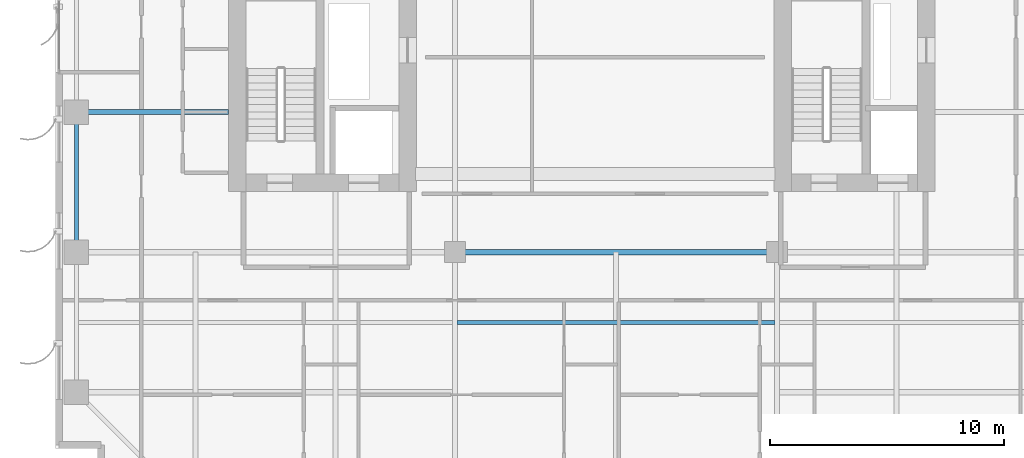
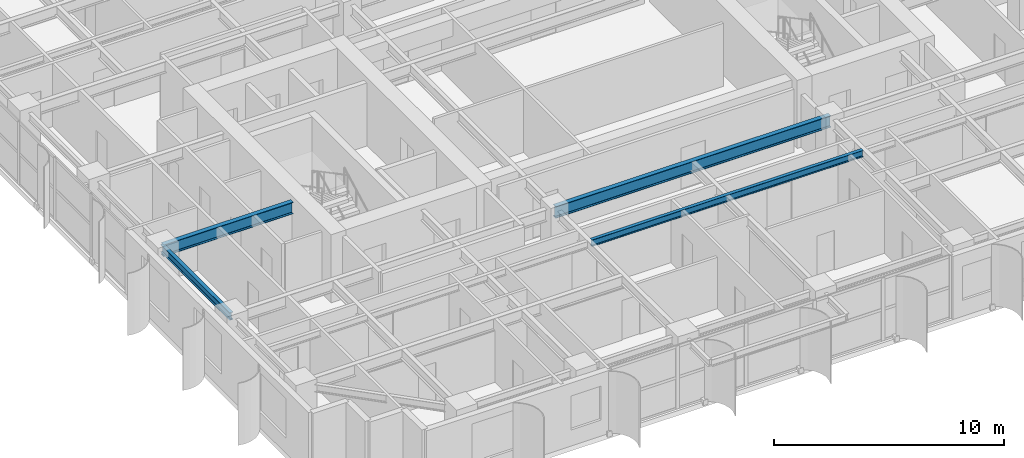
# One storey, part 6 of 27: 4 beams.
"""IFC4 building model written with IfcOpenShell, lengths in metres."""

from ifc_helpers import new_model, si_unit, direction, frame, origin, origin_2d, place, context, subcontext, project, spatial, i_section, extrude, source, transform, mapped, material, material_profile, profile_set, type_object, element, save


model = new_model("IFC4")

# Units and contexts
model_context = context("Model", 3, precision=1e-05, world=origin(), true_north=direction((0.0, 1.0)))
body_context = subcontext(model_context, "Body", "Model", "MODEL_VIEW")
ifc_project = project(units=[si_unit("LENGTHUNIT", "METRE"), si_unit("AREAUNIT", "SQUARE_METRE"), si_unit("VOLUMEUNIT", "CUBIC_METRE"), si_unit("PLANEANGLEUNIT", "RADIAN"), si_unit("MASSUNIT", "GRAM", prefix="KILO")], contexts=[model_context])

# Site, building, storey
site_placement = place(None, origin())
site = spatial("IfcSite", under=ifc_project, at=site_placement, CompositionType="ELEMENT")
building_placement = place(site_placement, origin())
building = spatial("IfcBuilding", under=site, at=building_placement, Name="Khoralis Quay Care Tower", CompositionType="ELEMENT")
storey_placement = place(building_placement, frame((0.0, 0.0, 105.300048828125)))
storey = spatial("IfcBuildingStorey", under=building, at=storey_placement, Name="L27", CompositionType="ELEMENT", Elevation=105.300048828125)

# Beams
ifc_material = material(Name="Steel S355", Category="steel")
ifc_material_profile_1 = material_profile(ifc_material, i_section(OverallWidth=0.179931640625, OverallDepth=0.39990234375, WebThickness=0.008544921875, FlangeThickness=0.013427734375, FilletRadius=0.02099609375, at=origin_2d()), Name="Steel S355")
ifc_profile_set_1 = profile_set([ifc_material_profile_1], Name="Steel S355")
beam_type_1 = type_object("IfcBeamType", Name="BM-IPE400", PredefinedType="SPANDREL", material=ifc_profile_set_1)
shared_shape_1 = source(origin(), body_context, "Body", "SweptSolid", [
    extrude(i_section(OverallWidth=0.179931640625, OverallDepth=0.39990234375, WebThickness=0.008544921875, FlangeThickness=0.013427734375, FilletRadius=0.02099609375, at=origin_2d()), origin(), (0.0, 0.0, 1.0), 6.0),
])
beam_1_placement = place(storey_placement, frame((0.89990234375, 12.0, 3.139892578125), z_axis=(0.0, 1.0, 0.0), x_axis=(-1.0, 0.0, 0.0)))
element("IfcBeam", 1, at=beam_1_placement, inside=storey, type_object=beam_type_1, Name="BM-TSP-L27-12", PredefinedType="SPANDREL", context=body_context, shape_type="MappedRepresentation", body=[
    mapped(shared_shape_1, transform((0.0, 0.0, 0.0), scale=1.0)),
])
ifc_material_profile_2 = material_profile(ifc_material, i_section(OverallWidth=0.22998046875, OverallDepth=0.616943359375, WebThickness=0.01318359375, FlangeThickness=0.022216796875, FilletRadius=0.01806640625, at=origin_2d()), Name="Steel S355")
ifc_profile_set_2 = profile_set([ifc_material_profile_2], Name="Steel S355")
beam_type_2 = type_object("IfcBeamType", Name="BM-W610X140", PredefinedType="BEAM", material=ifc_profile_set_2)
shared_shape_2 = source(origin(), body_context, "Body", "SweptSolid", [
    extrude(i_section(OverallWidth=0.22998046875, OverallDepth=0.616943359375, WebThickness=0.01318359375, FlangeThickness=0.022216796875, FilletRadius=0.01806640625, at=origin_2d()), origin(), (0.0, 0.0, 1.0), 6.502197265625),
])
beam_2_placement = place(storey_placement, frame((0.89990234375, 18.0, 3.031494140625), z_axis=(1.0, 0.0, 0.0), x_axis=(0.0, 1.0, 0.0)))
element("IfcBeam", 2, at=beam_2_placement, inside=storey, type_object=beam_type_2, Name="BM-TGXW-L27-180", PredefinedType="BEAM", context=body_context, shape_type="MappedRepresentation", body=[
    mapped(shared_shape_2, transform((0.0, 0.0, 0.0), scale=1.0)),
])
shared_shape_3 = source(origin(), body_context, "Body", "SweptSolid", [
    extrude(i_section(OverallWidth=0.22998046875, OverallDepth=0.616943359375, WebThickness=0.01318359375, FlangeThickness=0.022216796875, FilletRadius=0.01806640625, at=origin_2d()), origin(), (0.0, 0.0, 1.0), 13.7998046875),
])
beam_3_placement = place(storey_placement, frame((17.10009765625, 12.0, 3.031494140625), z_axis=(1.0, 0.0, 0.0), x_axis=(0.0, 1.0, 0.0)))
element("IfcBeam", 3, at=beam_3_placement, inside=storey, type_object=beam_type_2, Name="BM-TGCC-L27-120", PredefinedType="BEAM", context=body_context, shape_type="MappedRepresentation", body=[
    mapped(shared_shape_3, transform((0.0, 0.0, 0.0), scale=1.0)),
])
ifc_material_profile_3 = material_profile(ifc_material, i_section(OverallWidth=0.1708984375, OverallDepth=0.35498046875, WebThickness=0.007080078125, FlangeThickness=0.01171875, FilletRadius=0.012939453125, at=origin_2d()), Name="Steel S355")
ifc_profile_set_3 = profile_set([ifc_material_profile_3], Name="Steel S355")
beam_type_3 = type_object("IfcBeamType", Name="BM-W360X51", PredefinedType="JOIST", material=ifc_profile_set_3)
shared_shape_4 = source(origin(), body_context, "Body", "SweptSolid", [
    extrude(i_section(OverallWidth=0.1708984375, OverallDepth=0.35498046875, WebThickness=0.007080078125, FlangeThickness=0.01171875, FilletRadius=0.012939453125, at=origin_2d()), origin(), (0.0, 0.0, 1.0), 13.61181640625),
])
beam_4_placement = place(storey_placement, frame((17.194091796875, 9.0, 3.162353515625), z_axis=(1.0, 0.0, 0.0), x_axis=(0.0, 1.0, 0.0)))
element("IfcBeam", 4, at=beam_4_placement, inside=storey, type_object=beam_type_3, Name="BM-TJS-L27-27", PredefinedType="JOIST", context=body_context, shape_type="MappedRepresentation", body=[
    mapped(shared_shape_4, transform((0.0, 0.0, 0.0), scale=1.0)),
])

save(model, "model.ifc")
